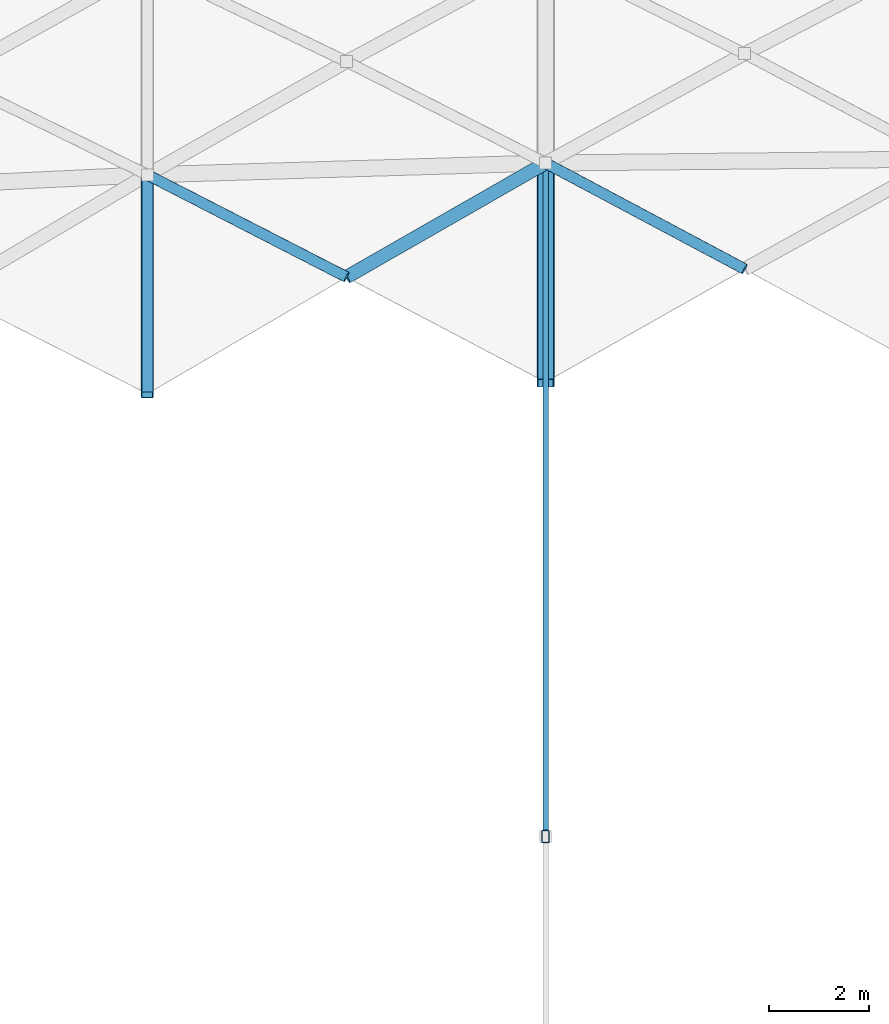
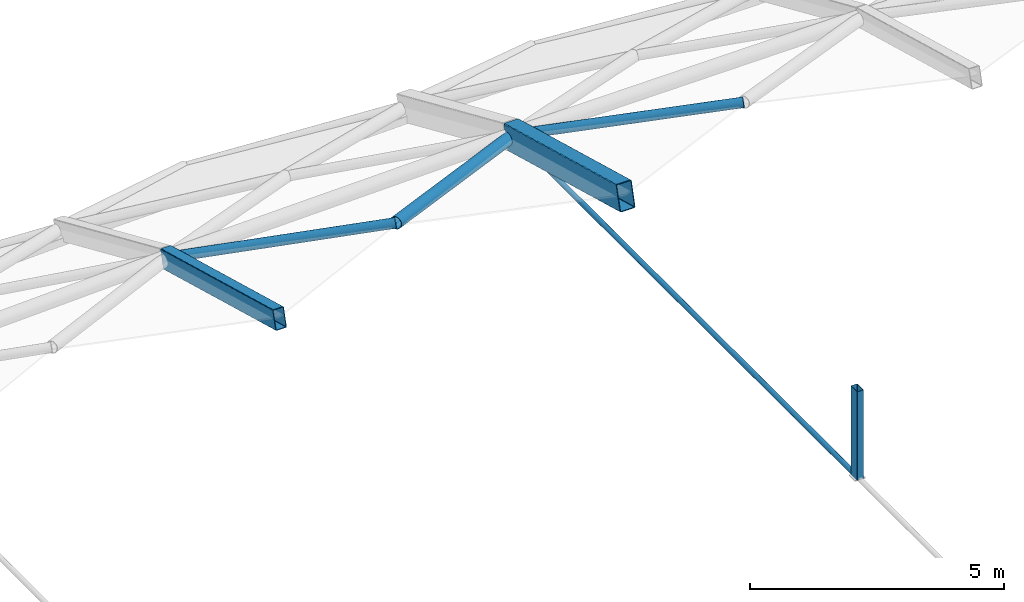
# One storey, part 8 of 54: 5 members, 2 beams.
"""IFC4 building model written with IfcOpenShell, lengths in metres."""

from ifc_helpers import new_model, si_unit, direction, frame, origin, origin_2d, place, context, subcontext, project, spatial, hollow_rectangle, hollow_circle, extrude, material, material_profile, profile_set, type_object, element, save


model = new_model("IFC4")

# Units and contexts
model_context = context("Model", 3, precision=1e-05, world=origin(), true_north=direction((0.0, 1.0)))
body_context = subcontext(model_context, "Body", "Model", "MODEL_VIEW")
ifc_project = project(units=[si_unit("LENGTHUNIT", "METRE"), si_unit("AREAUNIT", "SQUARE_METRE"), si_unit("VOLUMEUNIT", "CUBIC_METRE"), si_unit("PLANEANGLEUNIT", "RADIAN"), si_unit("MASSUNIT", "GRAM", prefix="KILO")], contexts=[model_context])

# Site, building, storey
site_placement = place(None, origin())
site = spatial("IfcSite", under=ifc_project, at=site_placement, CompositionType="ELEMENT")
building_placement = place(site_placement, origin())
building = spatial("IfcBuilding", under=site, at=building_placement, Name="Kenh Van Central Station", CompositionType="ELEMENT")
storey_placement = place(building_placement, frame((0.0, 0.0, 15.0)))
storey = spatial("IfcBuildingStorey", under=building, at=storey_placement, Name="L03", CompositionType="ELEMENT", Elevation=15.0)

# Beams
ifc_material = material(Name="White fluoropolymer structural steel S355", Category="steel")
ifc_material_profile_1 = material_profile(ifc_material, hollow_rectangle(XDim=0.35009765625, YDim=0.60009765625, WallThickness=0.01611328125, InnerFilletRadius=0.01611328125, OuterFilletRadius=0.031982421875, at=origin_2d()), Name="RHS 600x350x16")
ifc_profile_set_1 = profile_set([ifc_material_profile_1], Name="White fluoropolymer structural steel S355")
beam_type_1 = type_object("IfcBeamType", Name="BM-VAULT-ARCH600", PredefinedType="BEAM", material=ifc_profile_set_1)
beam_1_placement = place(storey_placement, frame((80.0, 100.23291015625, 5.28173828125), z_axis=(0.0, 0.964381836979, -0.264514030829), x_axis=(-1.0, 0.0, 0.0)))
element("IfcBeam", 1, at=beam_1_placement, inside=storey, type_object=beam_type_1, Name="Vault transverse arch 079", PredefinedType="BEAM", context=body_context, shape_type="SweptSolid", body=[
    extrude(hollow_rectangle(XDim=0.35009765625, YDim=0.60009765625, WallThickness=0.01611328125, InnerFilletRadius=0.01611328125, OuterFilletRadius=0.031982421875, at=origin_2d()), origin(), (0.0, 0.0, 1.0), 4.58447265625),
])
ifc_material_profile_2 = material_profile(ifc_material, hollow_rectangle(XDim=0.25, YDim=0.449951171875, WallThickness=0.012451171875, InnerFilletRadius=0.012451171875, OuterFilletRadius=0.02490234375, at=origin_2d()), Name="RHS 450x250x12.5")
ifc_profile_set_2 = profile_set([ifc_material_profile_2], Name="White fluoropolymer structural steel S355")
beam_type_2 = type_object("IfcBeamType", Name="BM-VAULT-SUB450", PredefinedType="BEAM", material=ifc_profile_set_2)
beam_2_placement = place(storey_placement, frame((72.0, 99.99609375, 5.28173828125), z_axis=(0.0, 0.96438556277, -0.26450044673), x_axis=(-1.0, 0.0, 0.0)))
element("IfcBeam", 2, at=beam_2_placement, inside=storey, type_object=beam_type_2, Name="Vault transverse arch 068", PredefinedType="BEAM", context=body_context, shape_type="SweptSolid", body=[
    extrude(hollow_rectangle(XDim=0.25, YDim=0.449951171875, WallThickness=0.012451171875, InnerFilletRadius=0.012451171875, OuterFilletRadius=0.02490234375, at=origin_2d()), origin(), (0.0, 0.0, 1.0), 4.584716796875),
])

# Members
ifc_material_profile_3 = material_profile(ifc_material, hollow_rectangle(XDim=0.14990234375, YDim=0.25, WallThickness=0.008056640625, InnerFilletRadius=0.008056640625, OuterFilletRadius=0.01611328125, at=origin_2d()), Name="RHS 250x150x8")
ifc_profile_set_3 = profile_set([ifc_material_profile_3], Name="White fluoropolymer structural steel S355")
member_type_1 = type_object("IfcMemberType", Name="MEM-STR-RHS250", PredefinedType="STRUT", material=ifc_profile_set_3)
member_1_placement = place(storey_placement, frame((80.0, 91.119873046875, 4.069091796875), z_axis=(0.0, 0.0, 1.0), x_axis=(1.0, 0.0, 0.0)))
element("IfcMember", 3, at=member_1_placement, inside=storey, type_object=member_type_1, Name="Vault internal crown king strut 004", PredefinedType="STRUT", context=body_context, shape_type="SweptSolid", body=[
    extrude(hollow_rectangle(XDim=0.14990234375, YDim=0.25, WallThickness=0.008056640625, InnerFilletRadius=0.008056640625, OuterFilletRadius=0.01611328125, at=origin_2d()), origin(), (0.0, 0.0, 1.0), 2.130859375),
])
ifc_material_profile_4 = material_profile(ifc_material, hollow_circle(Radius=0.109619140625, WallThickness=0.008056640625, at=origin_2d()), Name="CHS 219.1x8")
ifc_profile_set_4 = profile_set([ifc_material_profile_4], Name="White fluoropolymer structural steel S355")
member_type_2 = type_object("IfcMemberType", Name="MEM-VAULT-BRC219", PredefinedType="BRACE", material=ifc_profile_set_4)
member_2_placement = place(storey_placement, frame((72.0, 104.41748046875, 4.069091796875), z_axis=(0.87965418327, -0.451746234011, 0.148774520376), x_axis=(0.456830231259, 0.889553899327, 0.0)))
element("IfcMember", 4, at=member_2_placement, inside=storey, type_object=member_type_2, Name="Vault diamond grid member 0253", PredefinedType="BRACE", context=body_context, shape_type="SweptSolid", body=[
    extrude(hollow_circle(Radius=0.109619140625, WallThickness=0.008056640625, at=origin_2d()), origin(), (0.0, 0.0, 1.0), 4.54736328125),
])
member_3_placement = place(storey_placement, frame((80.0, 104.654052734375, 4.069091796875), z_axis=(0.872886671522, -0.465052963605, 0.14762994182), x_axis=(0.470205157348, 0.882557142628, 0.0)))
element("IfcMember", 5, at=member_3_placement, inside=storey, type_object=member_type_2, Name="Vault diamond grid member 0297", PredefinedType="BRACE", context=body_context, shape_type="SweptSolid", body=[
    extrude(hollow_circle(Radius=0.109619140625, WallThickness=0.008056640625, at=origin_2d()), origin(), (0.0, 0.0, 1.0), 4.58251953125),
])
ifc_material_profile_5 = material_profile(ifc_material, hollow_circle(Radius=0.05712890625, WallThickness=0.010009765625, at=origin_2d()), Name="CHS 114.3x10")
ifc_profile_set_5 = profile_set([ifc_material_profile_5], Name="White fluoropolymer structural steel S355")
member_type_3 = type_object("IfcMemberType", Name="MEM-VAULT-CBL114", PredefinedType="BRACE", material=ifc_profile_set_5)
member_4_placement = place(storey_placement, frame((80.0, 91.119873046875, 4.069091796875), z_axis=(0.0, 1.0, 0.0), x_axis=(-1.0, 0.0, 0.0)))
element("IfcMember", 6, at=member_4_placement, inside=storey, type_object=member_type_3, Name="Vault internal bowstring tension tie 08", PredefinedType="BRACE", context=body_context, shape_type="SweptSolid", body=[
    extrude(hollow_circle(Radius=0.05712890625, WallThickness=0.010009765625, at=origin_2d()), origin(), (0.0, 0.0, 1.0), 13.5341796875),
])
ifc_material_profile_6 = material_profile(ifc_material, hollow_circle(Radius=0.136474609375, WallThickness=0.010009765625, at=origin_2d()), Name="CHS 273x10")
ifc_profile_set_6 = profile_set([ifc_material_profile_6], Name="White fluoropolymer structural steel S355")
member_type_4 = type_object("IfcMemberType", Name="MEM-VAULT-CHD273", PredefinedType="CHORD", material=ifc_profile_set_6)
member_5_placement = place(storey_placement, frame((76.0, 102.36328125, 4.74560546875), z_axis=(0.858572645355, 0.491698433311, -0.14520903322), x_axis=(-0.496965774085, 0.867770142024, 0.0)))
element("IfcMember", 7, at=member_5_placement, inside=storey, type_object=member_type_4, Name="Vault diamond grid member 0273", PredefinedType="CHORD", context=body_context, shape_type="SweptSolid", body=[
    extrude(hollow_circle(Radius=0.136474609375, WallThickness=0.010009765625, at=origin_2d()), origin(), (0.0, 0.0, 1.0), 4.658935546875),
])

save(model, "model.ifc")
